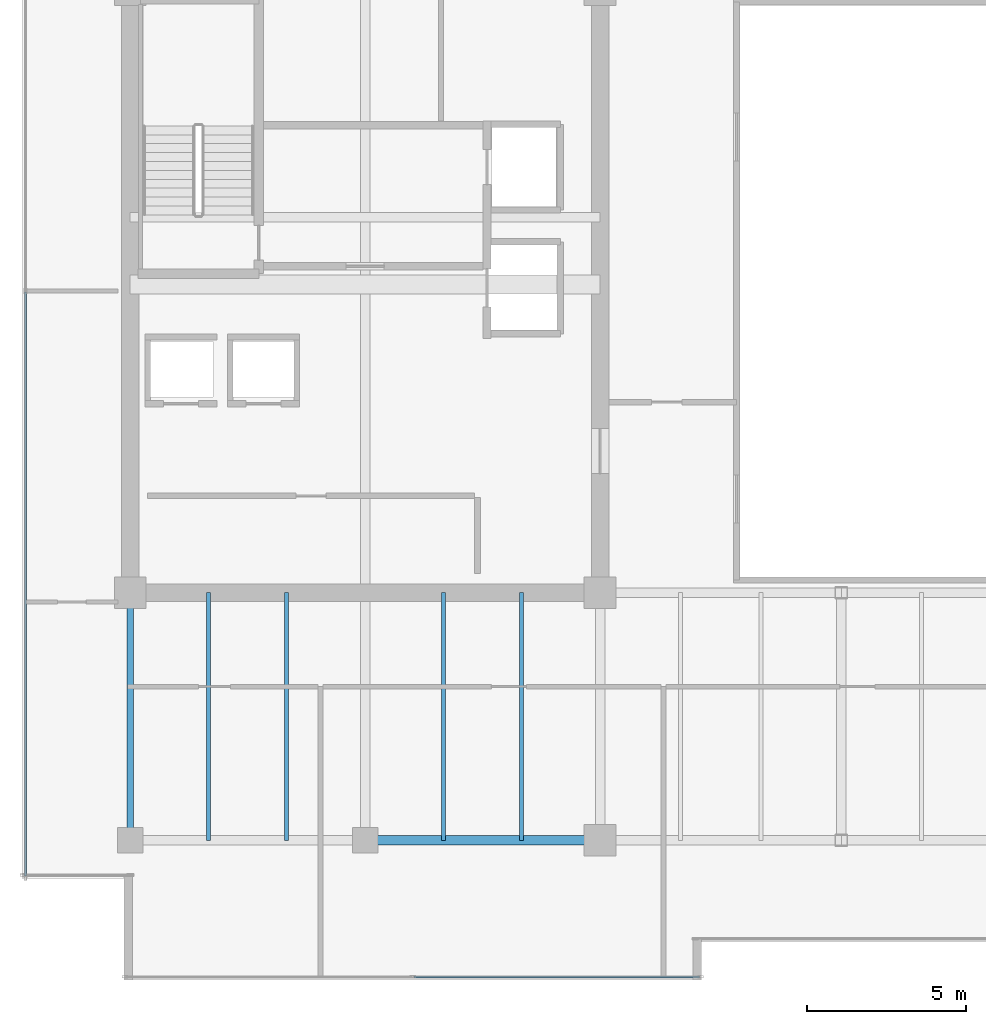
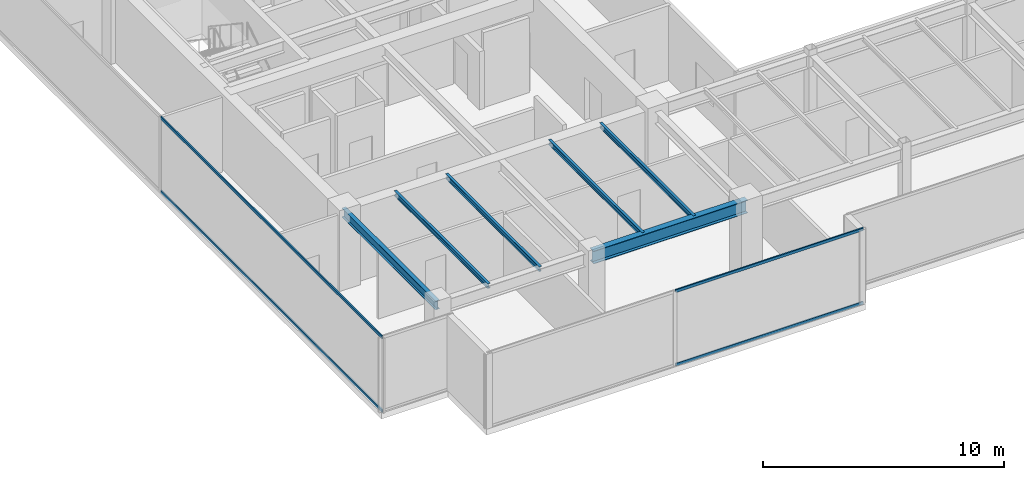
# One storey, part 6 of 33: 6 beams, 4 members, 2 elements without a shape of their own.
"""IFC4 building model written with IfcOpenShell, lengths in metres."""

from ifc_helpers import new_model, si_unit, direction, frame, origin, origin_2d, place, context, subcontext, project, spatial, hollow_rectangle, i_section, extrude, source, transform, mapped, material, layer, layer_set, material_profile, profile_set, type_object, type_shapes, element, aggregate, save


model = new_model("IFC4")

# Units and contexts
model_context = context("Model", 3, precision=1e-05, world=origin(), true_north=direction((0.0, 1.0)))
body_context = subcontext(model_context, "Body", "Model", "MODEL_VIEW")
ifc_project = project(units=[si_unit("LENGTHUNIT", "METRE"), si_unit("AREAUNIT", "SQUARE_METRE"), si_unit("VOLUMEUNIT", "CUBIC_METRE"), si_unit("PLANEANGLEUNIT", "RADIAN"), si_unit("MASSUNIT", "GRAM", prefix="KILO")], contexts=[model_context])

# Site, building, storey
site_placement = place(None, origin())
site = spatial("IfcSite", under=ifc_project, at=site_placement, CompositionType="ELEMENT")
building_placement = place(site_placement, origin())
building = spatial("IfcBuilding", under=site, at=building_placement, Name="Haelvirn Gate Laboratories", CompositionType="ELEMENT")
storey_placement = place(building_placement, frame((0.0, 0.0, 267.0)))
storey = spatial("IfcBuildingStorey", under=building, at=storey_placement, Name="L64", CompositionType="ELEMENT", Elevation=267.0)

# Beams
ifc_material_1 = material(Name="Steel SM355", Category="steel")
ifc_material_profile_1 = material_profile(ifc_material_1, i_section(OverallWidth=0.300048828125, OverallDepth=0.64990234375, WebThickness=0.012939453125, FlangeThickness=0.02197265625, at=origin_2d()), Name="H-650x300x13x22")
ifc_profile_set_1 = profile_set([ifc_material_profile_1], Name="Steel SM355")
beam_type_1 = type_object("IfcBeamType", Name="BM-G-650", PredefinedType="BEAM", material=ifc_profile_set_1)
shared_shape_1 = source(origin(), body_context, "Body", "SweptSolid", [
    extrude(i_section(OverallWidth=0.300048828125, OverallDepth=0.64990234375, WebThickness=0.012939453125, FlangeThickness=0.02197265625, at=origin_2d()), origin(), (0.0, 0.0, 1.0), 7.39990234375),
])
type_shapes(beam_type_1, [shared_shape_1])
beam_1_placement = place(storey_placement, frame((14.800048828125, 7.0, 3.47509765625), z_axis=(1.0, 0.0, 0.0), x_axis=(0.0, 1.0, 0.0)))
element("IfcBeam", 1, at=beam_1_placement, inside=storey, type_object=beam_type_1, Name="L64 Primary Girder Y7.0 (14.8-22.2)", PredefinedType="BEAM", context=body_context, shape_type="MappedRepresentation", body=[
    mapped(shared_shape_1, transform((0.0, 0.0, 0.0), scale=1.0)),
])
ifc_material_profile_2 = material_profile(ifc_material_1, i_section(OverallWidth=0.199951171875, OverallDepth=0.449951171875, WebThickness=0.009033203125, FlangeThickness=0.013916015625, at=origin_2d()), Name="H-450x200x9x14")
ifc_profile_set_2 = profile_set([ifc_material_profile_2], Name="Steel SM355")
beam_type_2 = type_object("IfcBeamType", Name="BM-SP-450", PredefinedType="SPANDREL", material=ifc_profile_set_2)
shared_shape_2 = source(origin(), body_context, "Body", "SweptSolid", [
    extrude(i_section(OverallWidth=0.199951171875, OverallDepth=0.449951171875, WebThickness=0.009033203125, FlangeThickness=0.013916015625, at=origin_2d()), origin(), (0.0, 0.0, 1.0), 7.800048828125),
])
type_shapes(beam_type_2, [shared_shape_2])
beam_2_placement = place(storey_placement, frame((7.39990234375, 7.0, 3.574951171875), z_axis=(0.0, 1.0, 0.0), x_axis=(-1.0, 0.0, 0.0)))
element("IfcBeam", 2, at=beam_2_placement, inside=storey, type_object=beam_type_2, Name="L64 Perimeter Spandrel X7.4 (7.0-14.8)", PredefinedType="SPANDREL", context=body_context, shape_type="MappedRepresentation", body=[
    mapped(shared_shape_2, transform((0.0, 0.0, 0.0), scale=1.0)),
])
ifc_material_profile_3 = material_profile(ifc_material_1, i_section(OverallWidth=0.125, OverallDepth=0.25, WebThickness=0.006103515625, FlangeThickness=0.009033203125, at=origin_2d()), Name="H-250x125x6x9")
ifc_profile_set_3 = profile_set([ifc_material_profile_3], Name="Steel SM355")
beam_type_3 = type_object("IfcBeamType", Name="BM-J-250", PredefinedType="JOIST", material=ifc_profile_set_3)
shared_shape_3 = source(origin(), body_context, "Body", "SweptSolid", [
    extrude(i_section(OverallWidth=0.125, OverallDepth=0.25, WebThickness=0.006103515625, FlangeThickness=0.009033203125, at=origin_2d()), origin(), (0.0, 0.0, 1.0), 7.800048828125),
])
type_shapes(beam_type_3, [shared_shape_3])
for number, where, z_axis, x_axis, name in (
    (3, (9.8701171875, 7.0, 3.675048828125), (0.0, 1.0, 0.0), (-1.0, 0.0, 0.0), "L64 Composite Lab Joist South X9.87"),
    (4, (12.330078125, 7.0, 3.675048828125), (0.0, 1.0, 0.0), (-1.0, 0.0, 0.0), "L64 Composite Lab Joist South X12.33"),
    (5, (17.27001953125, 7.0, 3.675048828125), (0.0, 1.0, 0.0), (-1.0, 0.0, 0.0), "L64 Composite Lab Joist South X17.27"),
    (6, (19.72998046875, 7.0, 3.675048828125), (0.0, 1.0, 0.0), (-1.0, 0.0, 0.0), "L64 Composite Lab Joist South X19.73"),
):
    element("IfcBeam", number, at=place(storey_placement, frame(where, z_axis=z_axis, x_axis=x_axis)), inside=storey, type_object=beam_type_3, Name=name, PredefinedType="JOIST", context=body_context, shape_type="MappedRepresentation", body=[
        mapped(shared_shape_3, transform((0.0, 0.0, 0.0), scale=1.0)),
    ])

# Curtain wall, members
ifc_material_2 = material(Name="Anodised bronze unitised aluminium & triple low-E glass", Category="aluminium")
ifc_layer = layer(ifc_material_2, 0.176025390625, Name="CW-SYS-4")
ifc_layer_set = layer_set([ifc_layer], Name="Anodised bronze unitised aluminium & triple low-E glass")
curtain_wall_type = type_object("IfcCurtainWallType", Name="CW-SYS-4", PredefinedType="NOTDEFINED", material=ifc_layer_set)
curtain_wall_1_placement = place(storey_placement, origin())
curtain_wall_1 = element("IfcCurtainWall", 7, at=curtain_wall_1_placement, inside=storey, type_object=curtain_wall_type, Name="L64 Unitised Curtain Wall CW-L64-P0-E00-1", PredefinedType="NOTDEFINED")
ifc_material_3 = material(Name="Extruded aluminium 6063-T6 (anodised bronze)", Category="aluminium")
ifc_material_profile_4 = material_profile(ifc_material_3, hollow_rectangle(XDim=0.06494140625, YDim=0.139892578125, WallThickness=0.00390625, at=origin_2d()), Name="CWT-140x65x4")
ifc_profile_set_4 = profile_set([ifc_material_profile_4], Name="Extruded aluminium 6063-T6 (anodised bronze)")
member_type = type_object("IfcMemberType", Name="CWT-T140", PredefinedType="USERDEFINED", material=ifc_profile_set_4)
shared_shape_4 = source(origin(), body_context, "Body", "SweptSolid", [
    extrude(hollow_rectangle(XDim=0.06494140625, YDim=0.139892578125, WallThickness=0.00390625, at=origin_2d()), origin(), (0.0, 0.0, 1.0), 8.9951171875),
])
member_1_placement = place(storey_placement, frame((16.3349609375, 2.699951171875, 0.032470703125), z_axis=(1.0, 0.0, 0.0), x_axis=(0.0, 1.0, 0.0)))
member_1 = element("IfcMember", 8, at=member_1_placement, type_object=member_type, Name="CW4 transom 2.1", ObjectType="TRANSOM", PredefinedType="USERDEFINED", context=body_context, shape_type="MappedRepresentation", body=[
    mapped(shared_shape_4, transform((0.0, 0.0, 0.0), scale=1.0)),
])
member_2_placement = place(storey_placement, frame((16.3349609375, 2.699951171875, 3.767578125), z_axis=(1.0, 0.0, 0.0), x_axis=(0.0, 1.0, 0.0)))
member_2 = element("IfcMember", 9, at=member_2_placement, type_object=member_type, Name="CW4 transom 2.2", ObjectType="TRANSOM", PredefinedType="USERDEFINED", context=body_context, shape_type="MappedRepresentation", body=[
    mapped(shared_shape_4, transform((0.0, 0.0, 0.0), scale=1.0)),
])
aggregate(curtain_wall_1, [member_1, member_2])

curtain_wall_2_placement = place(storey_placement, origin())
curtain_wall_2 = element("IfcCurtainWall", 10, at=curtain_wall_2_placement, inside=storey, type_object=curtain_wall_type, Name="L64 Unitised Curtain Wall CW-L64-P0-E17", PredefinedType="NOTDEFINED")
shared_shape_5 = source(origin(), body_context, "Body", "SweptSolid", [
    extrude(hollow_rectangle(XDim=0.06494140625, YDim=0.139892578125, WallThickness=0.00390625, at=origin_2d()), origin(), (0.0, 0.0, 1.0), 18.394775390625),
])
type_shapes(member_type, [shared_shape_4, shared_shape_5])
member_3_placement = place(storey_placement, frame((4.10009765625, 24.264892578125, 0.032470703125), z_axis=(0.0, -1.0, 0.0), x_axis=(1.0, 0.0, 0.0)))
member_3 = element("IfcMember", 11, at=member_3_placement, type_object=member_type, Name="CW4 transom 2.1", ObjectType="TRANSOM", PredefinedType="USERDEFINED", context=body_context, shape_type="MappedRepresentation", body=[
    mapped(shared_shape_5, transform((0.0, 0.0, 0.0), scale=1.0)),
])
member_4_placement = place(storey_placement, frame((4.10009765625, 24.264892578125, 3.767578125), z_axis=(0.0, -1.0, 0.0), x_axis=(1.0, 0.0, 0.0)))
member_4 = element("IfcMember", 12, at=member_4_placement, type_object=member_type, Name="CW4 transom 2.2", ObjectType="TRANSOM", PredefinedType="USERDEFINED", context=body_context, shape_type="MappedRepresentation", body=[
    mapped(shared_shape_5, transform((0.0, 0.0, 0.0), scale=1.0)),
])
aggregate(curtain_wall_2, [member_3, member_4])

save(model, "model.ifc")
